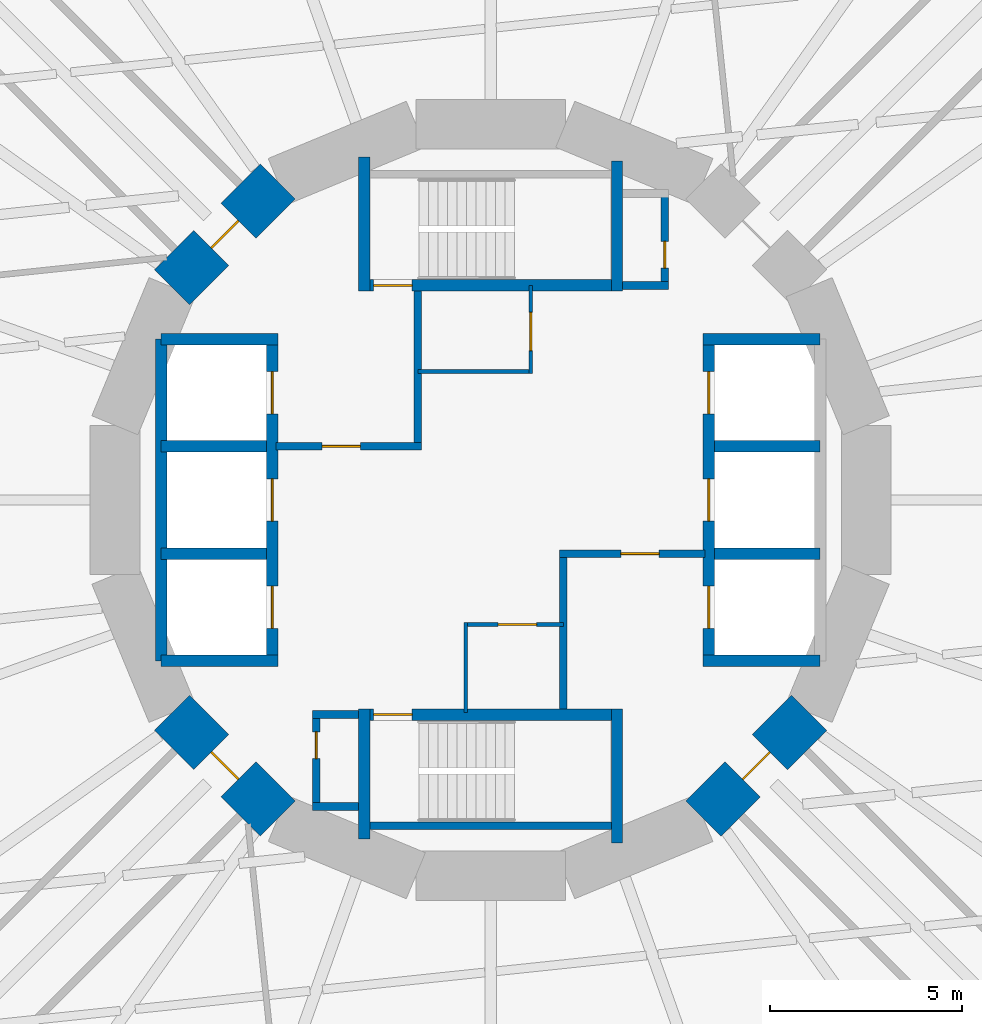
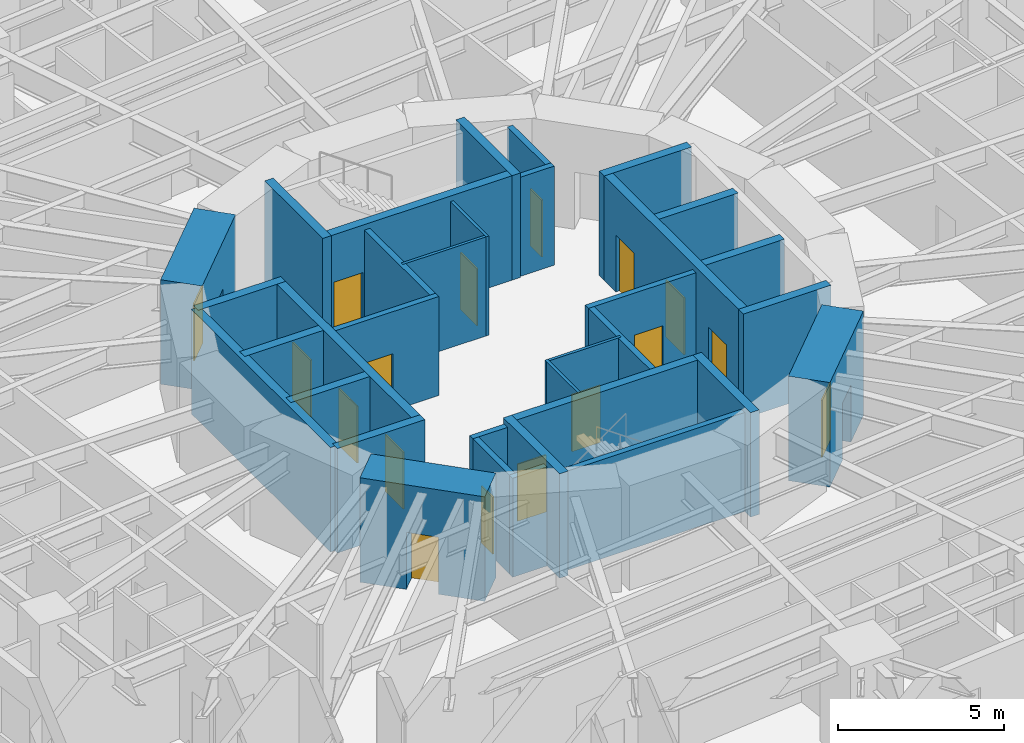
# One storey, part 7 of 13: 34 walls, 17 doors, 17 openings.
"""IFC4 building model written with IfcOpenShell, lengths in metres."""

from ifc_helpers import new_model, si_unit, direction, frame, frame_2d, origin, place, context, subcontext, project, spatial, rectangle, extrude, material, layer, layer_set, type_object, element, fill, save


model = new_model("IFC4")

# Units and contexts
model_context = context("Model", 3, precision=1e-05, world=origin(), true_north=direction((0.0, 1.0)))
body_context = subcontext(model_context, "Body", "Model", "MODEL_VIEW")
ifc_project = project(units=[si_unit("LENGTHUNIT", "METRE"), si_unit("AREAUNIT", "SQUARE_METRE"), si_unit("VOLUMEUNIT", "CUBIC_METRE"), si_unit("PLANEANGLEUNIT", "RADIAN"), si_unit("MASSUNIT", "GRAM", prefix="KILO")], contexts=[model_context])

# Site, building, storey
site_placement = place(None, origin())
site = spatial("IfcSite", under=ifc_project, at=site_placement, CompositionType="ELEMENT")
building_placement = place(site_placement, origin())
building = spatial("IfcBuilding", under=site, at=building_placement, Name="Nakasero Lantern House", CompositionType="ELEMENT")
storey_placement = place(building_placement, frame((0.0, 0.0, 60.5)))
storey = spatial("IfcBuildingStorey", under=building, at=storey_placement, Name="L14", CompositionType="ELEMENT", Elevation=60.5)

# Wall, openings, doors
ifc_material_1 = material(Name="Concrete C50/60", Category="concrete")
ifc_layer_1 = layer(ifc_material_1, 0.300048828125)
ifc_layer_set_1 = layer_set([ifc_layer_1], Name="Core inner wall 300")
wall_type_1 = type_object("IfcWallType", Name="Core inner wall 300", PredefinedType="SHEAR", material=ifc_layer_set_1)
wall_1_placement = place(storey_placement, frame((-5.699951171875, -4.199951171875, 0.0), z_axis=(0.0, 0.0, 1.0), x_axis=(0.0, 1.0, 0.0)))
wall_1 = element("IfcWall", 1, at=wall_1_placement, inside=storey, type_object=wall_type_1, Name="Core inner wall L14 LW", PredefinedType="SHEAR", context=body_context, shape_type="SweptSolid", body=[
    extrude(rectangle(XDim=8.39990234375, YDim=0.300048828125, at=frame_2d((4.199951171875, 0.0))), origin(), (0.0, 0.0, 1.0), 3.85009765625),
])
opening_1_placement = place(wall_1_placement, frame((0.85009765625, 0.0, 0.0)))
opening_1 = element("IfcOpeningElement", 2, at=opening_1_placement, cuts=wall_1, Name="Opening LD", PredefinedType="OPENING", context=body_context, shape_type="SweptSolid", body=[
    extrude(rectangle(XDim=1.10009765625, YDim=2.10009765625, at=frame_2d((0.550048828125, 1.050048828125))), frame((0.0, 0.169921875, 0.0), z_axis=(0.0, -1.0, 0.0), x_axis=(1.0, 0.0, 0.0)), (0.0, 0.0, 1.0), 0.340087890625),
])
opening_2_placement = place(wall_1_placement, frame((3.64990234375, 0.0, 0.0)))
opening_2 = element("IfcOpeningElement", 3, at=opening_2_placement, cuts=wall_1, Name="Opening LD", PredefinedType="OPENING", context=body_context, shape_type="SweptSolid", body=[
    extrude(rectangle(XDim=1.10009765625, YDim=2.10009765625, at=frame_2d((0.550048828125, 1.050048828125))), frame((0.0, 0.169921875, 0.0), z_axis=(0.0, -1.0, 0.0), x_axis=(1.0, 0.0, 0.0)), (0.0, 0.0, 1.0), 0.340087890625),
])
opening_3_placement = place(wall_1_placement, frame((6.449951171875, 0.0, 0.0)))
opening_3 = element("IfcOpeningElement", 4, at=opening_3_placement, cuts=wall_1, Name="Opening LD", PredefinedType="OPENING", context=body_context, shape_type="SweptSolid", body=[
    extrude(rectangle(XDim=1.10009765625, YDim=2.10009765625, at=frame_2d((0.550048828125, 1.050048828125))), frame((0.0, 0.169921875, 0.0), z_axis=(0.0, -1.0, 0.0), x_axis=(1.0, 0.0, 0.0)), (0.0, 0.0, 1.0), 0.340087890625),
])
ifc_material_2 = material(Name="Steel S355", Category="steel")
door_type_1 = type_object("IfcDoorType", Name="Lift landing door E120 1100", OperationType="SLIDING_TO_LEFT", PredefinedType="DOOR", material=ifc_material_2)
door_1_placement = place(opening_1_placement, origin())
door_1 = element("IfcDoor", 5, at=door_1_placement, inside=storey, type_object=door_type_1, Name="Lift landing door LW1", OperationType="SLIDING_TO_LEFT", OverallHeight=2.10009765625, OverallWidth=1.10009765625, PredefinedType="DOOR", context=body_context, shape_type="SweptSolid", body=[
    extrude(rectangle(XDim=1.10009765625, YDim=2.10009765625, at=frame_2d((0.550048828125, 1.050048828125))), frame((0.0, 0.02490234375, 0.0), z_axis=(0.0, -1.0, 0.0), x_axis=(1.0, 0.0, 0.0)), (0.0, 0.0, 1.0), 0.050048828125),
])
fill(opening_1, door_1)
door_2_placement = place(opening_2_placement, origin())
door_2 = element("IfcDoor", 6, at=door_2_placement, inside=storey, type_object=door_type_1, Name="Lift landing door LW2", OperationType="SLIDING_TO_LEFT", OverallHeight=2.10009765625, OverallWidth=1.10009765625, PredefinedType="DOOR", context=body_context, shape_type="SweptSolid", body=[
    extrude(rectangle(XDim=1.10009765625, YDim=2.10009765625, at=frame_2d((0.550048828125, 1.050048828125))), frame((0.0, 0.02490234375, 0.0), z_axis=(0.0, -1.0, 0.0), x_axis=(1.0, 0.0, 0.0)), (0.0, 0.0, 1.0), 0.050048828125),
])
fill(opening_2, door_2)
door_3_placement = place(opening_3_placement, origin())
door_3 = element("IfcDoor", 7, at=door_3_placement, inside=storey, type_object=door_type_1, Name="Lift landing door LW3", OperationType="SLIDING_TO_LEFT", OverallHeight=2.10009765625, OverallWidth=1.10009765625, PredefinedType="DOOR", context=body_context, shape_type="SweptSolid", body=[
    extrude(rectangle(XDim=1.10009765625, YDim=2.10009765625, at=frame_2d((0.550048828125, 1.050048828125))), frame((0.0, 0.02490234375, 0.0), z_axis=(0.0, -1.0, 0.0), x_axis=(1.0, 0.0, 0.0)), (0.0, 0.0, 1.0), 0.050048828125),
])
fill(opening_3, door_3)

wall_2_placement = place(storey_placement, frame((5.699951171875, -4.199951171875, 0.0), z_axis=(0.0, 0.0, 1.0), x_axis=(0.0, 1.0, 0.0)))
wall_2 = element("IfcWall", 8, at=wall_2_placement, inside=storey, type_object=wall_type_1, Name="Core inner wall L14 LE", PredefinedType="SHEAR", context=body_context, shape_type="SweptSolid", body=[
    extrude(rectangle(XDim=8.39990234375, YDim=0.300048828125, at=frame_2d((4.199951171875, 0.0))), origin(), (0.0, 0.0, 1.0), 3.85009765625),
])
opening_4_placement = place(wall_2_placement, frame((0.85009765625, 0.0, 0.0)))
opening_4 = element("IfcOpeningElement", 9, at=opening_4_placement, cuts=wall_2, Name="Opening LD", PredefinedType="OPENING", context=body_context, shape_type="SweptSolid", body=[
    extrude(rectangle(XDim=1.10009765625, YDim=2.10009765625, at=frame_2d((0.550048828125, 1.050048828125))), frame((0.0, 0.169921875, 0.0), z_axis=(0.0, -1.0, 0.0), x_axis=(1.0, 0.0, 0.0)), (0.0, 0.0, 1.0), 0.340087890625),
])
opening_5_placement = place(wall_2_placement, frame((3.64990234375, 0.0, 0.0)))
opening_5 = element("IfcOpeningElement", 10, at=opening_5_placement, cuts=wall_2, Name="Opening LD", PredefinedType="OPENING", context=body_context, shape_type="SweptSolid", body=[
    extrude(rectangle(XDim=1.10009765625, YDim=2.10009765625, at=frame_2d((0.550048828125, 1.050048828125))), frame((0.0, 0.169921875, 0.0), z_axis=(0.0, -1.0, 0.0), x_axis=(1.0, 0.0, 0.0)), (0.0, 0.0, 1.0), 0.340087890625),
])
opening_6_placement = place(wall_2_placement, frame((6.449951171875, 0.0, 0.0)))
opening_6 = element("IfcOpeningElement", 11, at=opening_6_placement, cuts=wall_2, Name="Opening LD", PredefinedType="OPENING", context=body_context, shape_type="SweptSolid", body=[
    extrude(rectangle(XDim=1.10009765625, YDim=2.10009765625, at=frame_2d((0.550048828125, 1.050048828125))), frame((0.0, 0.169921875, 0.0), z_axis=(0.0, -1.0, 0.0), x_axis=(1.0, 0.0, 0.0)), (0.0, 0.0, 1.0), 0.340087890625),
])
door_4_placement = place(opening_4_placement, origin())
door_4 = element("IfcDoor", 12, at=door_4_placement, inside=storey, type_object=door_type_1, Name="Lift landing door LE1", OperationType="SLIDING_TO_LEFT", OverallHeight=2.10009765625, OverallWidth=1.10009765625, PredefinedType="DOOR", context=body_context, shape_type="SweptSolid", body=[
    extrude(rectangle(XDim=1.10009765625, YDim=2.10009765625, at=frame_2d((0.550048828125, 1.050048828125))), frame((0.0, 0.02490234375, 0.0), z_axis=(0.0, -1.0, 0.0), x_axis=(1.0, 0.0, 0.0)), (0.0, 0.0, 1.0), 0.050048828125),
])
fill(opening_4, door_4)
door_5_placement = place(opening_5_placement, origin())
door_5 = element("IfcDoor", 13, at=door_5_placement, inside=storey, type_object=door_type_1, Name="Lift landing door LE2", OperationType="SLIDING_TO_LEFT", OverallHeight=2.10009765625, OverallWidth=1.10009765625, PredefinedType="DOOR", context=body_context, shape_type="SweptSolid", body=[
    extrude(rectangle(XDim=1.10009765625, YDim=2.10009765625, at=frame_2d((0.550048828125, 1.050048828125))), frame((0.0, 0.02490234375, 0.0), z_axis=(0.0, -1.0, 0.0), x_axis=(1.0, 0.0, 0.0)), (0.0, 0.0, 1.0), 0.050048828125),
])
fill(opening_5, door_5)
door_6_placement = place(opening_6_placement, origin())
door_6 = element("IfcDoor", 14, at=door_6_placement, inside=storey, type_object=door_type_1, Name="Lift landing door LE3", OperationType="SLIDING_TO_LEFT", OverallHeight=2.10009765625, OverallWidth=1.10009765625, PredefinedType="DOOR", context=body_context, shape_type="SweptSolid", body=[
    extrude(rectangle(XDim=1.10009765625, YDim=2.10009765625, at=frame_2d((0.550048828125, 1.050048828125))), frame((0.0, 0.02490234375, 0.0), z_axis=(0.0, -1.0, 0.0), x_axis=(1.0, 0.0, 0.0)), (0.0, 0.0, 1.0), 0.050048828125),
])
fill(opening_6, door_6)

# Walls
for number, where, z_axis, x_axis, name in (
    (15, (-8.60009765625, 4.199951171875, 0.0), (0.0, 0.0, 1.0), (1.0, 0.0, 0.0), "Core inner wall L14 LWN"),
    (16, (-8.60009765625, -4.199951171875, 0.0), (0.0, 0.0, 1.0), (1.0, 0.0, 0.0), "Core inner wall L14 LWS"),
    (17, (5.550048828125, 4.199951171875, 0.0), (0.0, 0.0, 1.0), (1.0, 0.0, 0.0), "Core inner wall L14 LEN"),
    (18, (5.550048828125, -4.199951171875, 0.0), (0.0, 0.0, 1.0), (1.0, 0.0, 0.0), "Core inner wall L14 LES"),
):
    element("IfcWall", number, at=place(storey_placement, frame(where, z_axis=z_axis, x_axis=x_axis)), inside=storey, type_object=wall_type_1, Name=name, PredefinedType="SHEAR", context=body_context, shape_type="SweptSolid", body=[
        extrude(rectangle(XDim=3.050048828125, YDim=0.300048828125, at=frame_2d((1.52490234375, 0.0))), origin(), (0.0, 0.0, 1.0), 3.85009765625),
    ])
wall_3_placement = place(storey_placement, frame((-8.60009765625, -4.199951171875, 0.0), z_axis=(0.0, 0.0, 1.0), x_axis=(0.0, 1.0, 0.0)))
element("IfcWall", 19, at=wall_3_placement, inside=storey, type_object=wall_type_1, Name="Core inner wall L14 LWB", PredefinedType="SHEAR", context=body_context, shape_type="SweptSolid", body=[
    extrude(rectangle(XDim=8.39990234375, YDim=0.300048828125, at=frame_2d((4.199951171875, 0.0))), origin(), (0.0, 0.0, 1.0), 3.85009765625),
])
for number, where, z_axis, x_axis, name in (
    (20, (-8.60009765625, -1.39990234375, 0.0), (0.0, 0.0, 1.0), (1.0, 0.0, 0.0), "Core inner wall L14 LW1"),
    (21, (-8.60009765625, 1.39990234375, 0.0), (0.0, 0.0, 1.0), (1.0, 0.0, 0.0), "Core inner wall L14 LW2"),
    (22, (5.85009765625, -1.39990234375, 0.0), (0.0, 0.0, 1.0), (1.0, 0.0, 0.0), "Core inner wall L14 LE1"),
    (23, (5.85009765625, 1.39990234375, 0.0), (0.0, 0.0, 1.0), (1.0, 0.0, 0.0), "Core inner wall L14 LE2"),
):
    element("IfcWall", number, at=place(storey_placement, frame(where, z_axis=z_axis, x_axis=x_axis)), inside=storey, type_object=wall_type_1, Name=name, PredefinedType="SHEAR", context=body_context, shape_type="SweptSolid", body=[
        extrude(rectangle(XDim=2.75, YDim=0.300048828125, at=frame_2d((1.375, 0.0))), origin(), (0.0, 0.0, 1.0), 3.85009765625),
    ])

# Wall, opening, door
wall_4_placement = place(storey_placement, frame((-3.449951171875, 5.60009765625, 0.0), z_axis=(0.0, 0.0, 1.0), x_axis=(1.0, 0.0, 0.0)))
wall_4 = element("IfcWall", 24, at=wall_4_placement, inside=storey, type_object=wall_type_1, Name="Core inner wall L14 SN", PredefinedType="SHEAR", context=body_context, shape_type="SweptSolid", body=[
    extrude(rectangle(XDim=6.89990234375, YDim=0.300048828125, at=frame_2d((3.449951171875, 0.0))), origin(), (0.0, 0.0, 1.0), 3.85009765625),
])
opening_7_placement = place(wall_4_placement, frame((0.39990234375, 0.0, 0.0)))
opening_7 = element("IfcOpeningElement", 25, at=opening_7_placement, cuts=wall_4, Name="Opening D05", PredefinedType="OPENING", context=body_context, shape_type="SweptSolid", body=[
    extrude(rectangle(XDim=1.0, YDim=2.10009765625, at=frame_2d((0.5, 1.050048828125))), frame((0.0, 0.169921875, 0.0), z_axis=(0.0, -1.0, 0.0), x_axis=(1.0, 0.0, 0.0)), (0.0, 0.0, 1.0), 0.340087890625),
])
ifc_material_3 = material(Name="Timber C24", Category="wood")
door_type_2 = type_object("IfcDoorType", Name="Core door FD60S 1000", OperationType="SINGLE_SWING_LEFT", PredefinedType="DOOR", material=ifc_material_3)
door_7_placement = place(opening_7_placement, origin())
door_7 = element("IfcDoor", 26, at=door_7_placement, inside=storey, type_object=door_type_2, Name="Door L14 D-ST1", OperationType="SINGLE_SWING_LEFT", OverallHeight=2.10009765625, OverallWidth=1.0, PredefinedType="DOOR", context=body_context, shape_type="SweptSolid", body=[
    extrude(rectangle(XDim=1.0, YDim=2.10009765625, at=frame_2d((0.5, 1.050048828125))), frame((0.0, 0.02490234375, 0.0), z_axis=(0.0, -1.0, 0.0), x_axis=(1.0, 0.0, 0.0)), (0.0, 0.0, 1.0), 0.050048828125),
])
fill(opening_7, door_7)

# Walls
wall_5_placement = place(storey_placement, frame((-3.300048828125, 5.449951171875, 0.0), z_axis=(0.0, 0.0, 1.0), x_axis=(0.0, 1.0, 0.0)))
element("IfcWall", 27, at=wall_5_placement, inside=storey, type_object=wall_type_1, Name="Core inner wall L14 SNW", PredefinedType="SHEAR", context=body_context, shape_type="SweptSolid", body=[
    extrude(rectangle(XDim=3.5, YDim=0.300048828125, at=frame_2d((1.75, 0.0))), origin(), (0.0, 0.0, 1.0), 3.85009765625),
])
wall_6_placement = place(storey_placement, frame((3.300048828125, 5.449951171875, 0.0), z_axis=(0.0, 0.0, 1.0), x_axis=(0.0, 1.0, 0.0)))
element("IfcWall", 28, at=wall_6_placement, inside=storey, type_object=wall_type_1, Name="Core inner wall L14 SNE", PredefinedType="SHEAR", context=body_context, shape_type="SweptSolid", body=[
    extrude(rectangle(XDim=3.400146484375, YDim=0.300048828125, at=frame_2d((1.7001953125, 0.0))), origin(), (0.0, 0.0, 1.0), 3.85009765625),
])

# Wall, opening, door
wall_7_placement = place(storey_placement, frame((-3.449951171875, -5.60009765625, 0.0), z_axis=(0.0, 0.0, 1.0), x_axis=(1.0, 0.0, 0.0)))
wall_7 = element("IfcWall", 29, at=wall_7_placement, inside=storey, type_object=wall_type_1, Name="Core inner wall L14 SS", PredefinedType="SHEAR", context=body_context, shape_type="SweptSolid", body=[
    extrude(rectangle(XDim=6.89990234375, YDim=0.300048828125, at=frame_2d((3.449951171875, 0.0))), origin(), (0.0, 0.0, 1.0), 3.85009765625),
])
opening_8_placement = place(wall_7_placement, frame((0.39990234375, 0.0, 0.0)))
opening_8 = element("IfcOpeningElement", 30, at=opening_8_placement, cuts=wall_7, Name="Opening D05", PredefinedType="OPENING", context=body_context, shape_type="SweptSolid", body=[
    extrude(rectangle(XDim=1.0, YDim=2.10009765625, at=frame_2d((0.5, 1.050048828125))), frame((0.0, 0.169921875, 0.0), z_axis=(0.0, -1.0, 0.0), x_axis=(1.0, 0.0, 0.0)), (0.0, 0.0, 1.0), 0.340087890625),
])
door_8_placement = place(opening_8_placement, origin())
door_8 = element("IfcDoor", 31, at=door_8_placement, inside=storey, type_object=door_type_2, Name="Door L14 D-ST2", OperationType="SINGLE_SWING_LEFT", OverallHeight=2.10009765625, OverallWidth=1.0, PredefinedType="DOOR", context=body_context, shape_type="SweptSolid", body=[
    extrude(rectangle(XDim=1.0, YDim=2.10009765625, at=frame_2d((0.5, 1.050048828125))), frame((0.0, 0.02490234375, 0.0), z_axis=(0.0, -1.0, 0.0), x_axis=(1.0, 0.0, 0.0)), (0.0, 0.0, 1.0), 0.050048828125),
])
fill(opening_8, door_8)

# Walls
wall_8_placement = place(storey_placement, frame((-3.300048828125, -5.449951171875, 0.0), z_axis=(0.0, 0.0, 1.0), x_axis=(0.0, -1.0, 0.0)))
element("IfcWall", 32, at=wall_8_placement, inside=storey, type_object=wall_type_1, Name="Core inner wall L14 SSW", PredefinedType="SHEAR", context=body_context, shape_type="SweptSolid", body=[
    extrude(rectangle(XDim=3.400146484375, YDim=0.300048828125, at=frame_2d((1.7001953125, 0.0))), origin(), (0.0, 0.0, 1.0), 3.85009765625),
])
wall_9_placement = place(storey_placement, frame((3.300048828125, -5.449951171875, 0.0), z_axis=(0.0, 0.0, 1.0), x_axis=(0.0, -1.0, 0.0)))
element("IfcWall", 33, at=wall_9_placement, inside=storey, type_object=wall_type_1, Name="Core inner wall L14 SSE", PredefinedType="SHEAR", context=body_context, shape_type="SweptSolid", body=[
    extrude(rectangle(XDim=3.5, YDim=0.300048828125, at=frame_2d((1.75, 0.0))), origin(), (0.0, 0.0, 1.0), 3.85009765625),
])
ifc_material_4 = material(Name="Blockwork", Category="masonry")
ifc_layer_2 = layer(ifc_material_4, 0.10009765625)
ifc_layer_set_2 = layer_set([ifc_layer_2], Name="Core room wall 100")
wall_type_2 = type_object("IfcWallType", Name="Core room wall 100", PredefinedType="PARTITIONING", material=ifc_layer_set_2)
wall_10_placement = place(storey_placement, frame((-1.89990234375, 3.35009765625, 0.0), z_axis=(0.0, 0.0, 1.0), x_axis=(1.0, 0.0, 0.0)))
element("IfcWall", 34, at=wall_10_placement, inside=storey, type_object=wall_type_2, Name="Core room wall L14 CR-NES", PredefinedType="PARTITIONING", context=body_context, shape_type="SweptSolid", body=[
    extrude(rectangle(XDim=3.0, YDim=0.10009765625, at=frame_2d((1.5, 0.0))), origin(), (0.0, 0.0, 1.0), 3.64990234375),
])

# Wall, opening, door
wall_11_placement = place(storey_placement, frame((1.050048828125, 3.300048828125, 0.0), z_axis=(0.0, 0.0, 1.0), x_axis=(0.0, 1.0, 0.0)))
wall_11 = element("IfcWall", 35, at=wall_11_placement, inside=storey, type_object=wall_type_2, Name="Core room wall L14 CR-NEE", PredefinedType="PARTITIONING", context=body_context, shape_type="SweptSolid", body=[
    extrude(rectangle(XDim=2.300048828125, YDim=0.10009765625, at=frame_2d((1.14990234375, 0.0))), origin(), (0.0, 0.0, 1.0), 3.64990234375),
])
opening_9_placement = place(wall_11_placement, frame((0.60009765625, 0.0, 0.0)))
opening_9 = element("IfcOpeningElement", 36, at=opening_9_placement, cuts=wall_11, Name="Opening D13", PredefinedType="OPENING", context=body_context, shape_type="SweptSolid", body=[
    extrude(rectangle(XDim=1.0, YDim=2.10009765625, at=frame_2d((0.5, 1.050048828125))), frame((0.0, 0.070068359375, 0.0), z_axis=(0.0, -1.0, 0.0), x_axis=(1.0, 0.0, 0.0)), (0.0, 0.0, 1.0), 0.14013671875),
])
ifc_material_5 = material(Name="Steel S355", Category="steel")
door_type_3 = type_object("IfcDoorType", Name="Plant room door FD60 1000", OperationType="SINGLE_SWING_LEFT", PredefinedType="DOOR", material=ifc_material_5)
door_9_placement = place(opening_9_placement, origin())
door_9 = element("IfcDoor", 37, at=door_9_placement, inside=storey, type_object=door_type_3, Name="Door L14 D-CR-NE", OperationType="SINGLE_SWING_LEFT", OverallHeight=2.10009765625, OverallWidth=1.0, PredefinedType="DOOR", context=body_context, shape_type="SweptSolid", body=[
    extrude(rectangle(XDim=1.0, YDim=2.10009765625, at=frame_2d((0.5, 1.050048828125))), frame((0.0, 0.02490234375, 0.0), z_axis=(0.0, -1.0, 0.0), x_axis=(1.0, 0.0, 0.0)), (0.0, 0.0, 1.0), 0.050048828125),
])
fill(opening_9, door_9)

wall_12_placement = place(storey_placement, frame((-0.699951171875, -3.25, 0.0), z_axis=(0.0, 0.0, 1.0), x_axis=(1.0, 0.0, 0.0)))
wall_12 = element("IfcWall", 38, at=wall_12_placement, inside=storey, type_object=wall_type_2, Name="Core room wall L14 CR-SWN", PredefinedType="PARTITIONING", context=body_context, shape_type="SweptSolid", body=[
    extrude(rectangle(XDim=2.599853515625, YDim=0.10009765625, at=frame_2d((1.2998046875, 0.0))), origin(), (0.0, 0.0, 1.0), 3.64990234375),
])
opening_10_placement = place(wall_12_placement, frame((0.89990234375, 0.0, 0.0)))
opening_10 = element("IfcOpeningElement", 39, at=opening_10_placement, cuts=wall_12, Name="Opening D07", PredefinedType="OPENING", context=body_context, shape_type="SweptSolid", body=[
    extrude(rectangle(XDim=1.0, YDim=2.10009765625, at=frame_2d((0.5, 1.050048828125))), frame((0.0, 0.070068359375, 0.0), z_axis=(0.0, -1.0, 0.0), x_axis=(1.0, 0.0, 0.0)), (0.0, 0.0, 1.0), 0.14013671875),
])
ifc_material_6 = material(Name="Timber C24", Category="wood")
door_type_4 = type_object("IfcDoorType", Name="Room door FD30S 1000", OperationType="SINGLE_SWING_LEFT", PredefinedType="DOOR", material=ifc_material_6)
door_10_placement = place(opening_10_placement, origin())
door_10 = element("IfcDoor", 40, at=door_10_placement, inside=storey, type_object=door_type_4, Name="Door L14 D-CR-SW", OperationType="SINGLE_SWING_RIGHT", OverallHeight=2.10009765625, OverallWidth=1.0, PredefinedType="DOOR", context=body_context, shape_type="SweptSolid", body=[
    extrude(rectangle(XDim=1.0, YDim=2.10009765625, at=frame_2d((0.5, 1.050048828125))), frame((0.0, 0.02490234375, 0.0), z_axis=(0.0, -1.0, 0.0), x_axis=(1.0, 0.0, 0.0)), (0.0, 0.0, 1.0), 0.050048828125),
])
fill(opening_10, door_10)

# Wall
wall_13_placement = place(storey_placement, frame((-0.64990234375, -5.550048828125, 0.0), z_axis=(0.0, 0.0, 1.0), x_axis=(0.0, 1.0, 0.0)))
element("IfcWall", 41, at=wall_13_placement, inside=storey, type_object=wall_type_2, Name="Core room wall L14 CR-SWW", PredefinedType="PARTITIONING", context=body_context, shape_type="SweptSolid", body=[
    extrude(rectangle(XDim=2.35009765625, YDim=0.10009765625, at=frame_2d((1.175048828125, 0.0))), origin(), (0.0, 0.0, 1.0), 3.64990234375),
])

# Wall, opening, door
ifc_material_7 = material(Name="Concrete C50/60", Category="concrete")
ifc_layer_3 = layer(ifc_material_7, 1.300048828125)
ifc_layer_set_3 = layer_set([ifc_layer_3], Name="Core wall 1300")
wall_type_3 = type_object("IfcWallType", Name="Core wall 1300", PredefinedType="SHEAR", material=ifc_layer_set_3)
wall_14_placement = place(storey_placement, frame((-5.5556640625, 8.314697265625, 0.0), z_axis=(0.0, 0.0, 1.0), x_axis=(-0.707106781187, -0.707106781187, 0.0)))
wall_14 = element("IfcWall", 42, at=wall_14_placement, inside=storey, type_object=wall_type_3, Name="Core wall L14 facet 6", PredefinedType="SHEAR", context=body_context, shape_type="SweptSolid", body=[
    extrude(rectangle(XDim=3.90185546875, YDim=1.300048828125, at=frame_2d((1.950927734375, 0.0))), origin(), (0.0, 0.0, 1.0), 3.85009765625),
])
opening_11_placement = place(wall_14_placement, frame((1.450927734375, 0.0, 0.0)))
opening_11 = element("IfcOpeningElement", 43, at=opening_11_placement, cuts=wall_14, Name="Opening D05", PredefinedType="OPENING", context=body_context, shape_type="SweptSolid", body=[
    extrude(rectangle(XDim=1.0, YDim=2.10009765625, at=frame_2d((0.5, 1.050048828125))), frame((0.0, 0.669921875, 0.0), z_axis=(0.0, -1.0, 0.0), x_axis=(1.0, 0.0, 0.0)), (0.0, 0.0, 1.0), 1.340087890625),
])
door_11_placement = place(opening_11_placement, origin())
door_11 = element("IfcDoor", 44, at=door_11_placement, inside=storey, type_object=door_type_2, Name="Door L14 D-CORE06", OperationType="SINGLE_SWING_LEFT", OverallHeight=2.10009765625, OverallWidth=1.0, PredefinedType="DOOR", context=body_context, shape_type="SweptSolid", body=[
    extrude(rectangle(XDim=1.0, YDim=2.10009765625, at=frame_2d((0.5, 1.050048828125))), frame((0.0, 0.02490234375, 0.0), z_axis=(0.0, -1.0, 0.0), x_axis=(1.0, 0.0, 0.0)), (0.0, 0.0, 1.0), 0.050048828125),
])
fill(opening_11, door_11)

wall_15_placement = place(storey_placement, frame((-8.314697265625, -5.5556640625, 0.0), z_axis=(0.0, 0.0, 1.0), x_axis=(0.707106781187, -0.707106781187, 0.0)))
wall_15 = element("IfcWall", 45, at=wall_15_placement, inside=storey, type_object=wall_type_3, Name="Core wall L14 facet 10", PredefinedType="SHEAR", context=body_context, shape_type="SweptSolid", body=[
    extrude(rectangle(XDim=3.90185546875, YDim=1.300048828125, at=frame_2d((1.950927734375, 0.0))), origin(), (0.0, 0.0, 1.0), 3.85009765625),
])
opening_12_placement = place(wall_15_placement, frame((1.450927734375, 0.0, 0.0)))
opening_12 = element("IfcOpeningElement", 46, at=opening_12_placement, cuts=wall_15, Name="Opening D05", PredefinedType="OPENING", context=body_context, shape_type="SweptSolid", body=[
    extrude(rectangle(XDim=1.0, YDim=2.10009765625, at=frame_2d((0.5, 1.050048828125))), frame((0.0, 0.669921875, 0.0), z_axis=(0.0, -1.0, 0.0), x_axis=(1.0, 0.0, 0.0)), (0.0, 0.0, 1.0), 1.340087890625),
])
door_12_placement = place(opening_12_placement, origin())
door_12 = element("IfcDoor", 47, at=door_12_placement, inside=storey, type_object=door_type_2, Name="Door L14 D-CORE10", OperationType="SINGLE_SWING_LEFT", OverallHeight=2.10009765625, OverallWidth=1.0, PredefinedType="DOOR", context=body_context, shape_type="SweptSolid", body=[
    extrude(rectangle(XDim=1.0, YDim=2.10009765625, at=frame_2d((0.5, 1.050048828125))), frame((0.0, 0.02490234375, 0.0), z_axis=(0.0, -1.0, 0.0), x_axis=(1.0, 0.0, 0.0)), (0.0, 0.0, 1.0), 0.050048828125),
])
fill(opening_12, door_12)

wall_16_placement = place(storey_placement, frame((5.5556640625, -8.314697265625, 0.0), z_axis=(0.0, 0.0, 1.0), x_axis=(0.707106781187, 0.707106781187, 0.0)))
wall_16 = element("IfcWall", 48, at=wall_16_placement, inside=storey, type_object=wall_type_3, Name="Core wall L14 facet 14", PredefinedType="SHEAR", context=body_context, shape_type="SweptSolid", body=[
    extrude(rectangle(XDim=3.90185546875, YDim=1.300048828125, at=frame_2d((1.950927734375, 0.0))), origin(), (0.0, 0.0, 1.0), 3.85009765625),
])
opening_13_placement = place(wall_16_placement, frame((1.450927734375, 0.0, 0.0)))
opening_13 = element("IfcOpeningElement", 49, at=opening_13_placement, cuts=wall_16, Name="Opening D05", PredefinedType="OPENING", context=body_context, shape_type="SweptSolid", body=[
    extrude(rectangle(XDim=1.0, YDim=2.10009765625, at=frame_2d((0.5, 1.050048828125))), frame((0.0, 0.669921875, 0.0), z_axis=(0.0, -1.0, 0.0), x_axis=(1.0, 0.0, 0.0)), (0.0, 0.0, 1.0), 1.340087890625),
])
door_13_placement = place(opening_13_placement, origin())
door_13 = element("IfcDoor", 50, at=door_13_placement, inside=storey, type_object=door_type_2, Name="Door L14 D-CORE14", OperationType="SINGLE_SWING_LEFT", OverallHeight=2.10009765625, OverallWidth=1.0, PredefinedType="DOOR", context=body_context, shape_type="SweptSolid", body=[
    extrude(rectangle(XDim=1.0, YDim=2.10009765625, at=frame_2d((0.5, 1.050048828125))), frame((0.0, 0.02490234375, 0.0), z_axis=(0.0, -1.0, 0.0), x_axis=(1.0, 0.0, 0.0)), (0.0, 0.0, 1.0), 0.050048828125),
])
fill(opening_13, door_13)

ifc_material_8 = material(Name="Blockwork", Category="masonry")
ifc_layer_4 = layer(ifc_material_8, 0.199951171875)
ifc_layer_set_4 = layer_set([ifc_layer_4], Name="Fire lobby wall 200")
wall_type_4 = type_object("IfcWallType", Name="Fire lobby wall 200", PredefinedType="PARTITIONING", material=ifc_layer_set_4)
wall_17_placement = place(storey_placement, frame((-5.60009765625, 1.39990234375, 0.0), z_axis=(0.0, 0.0, 1.0), x_axis=(1.0, 0.0, 0.0)))
wall_17 = element("IfcWall", 51, at=wall_17_placement, inside=storey, type_object=wall_type_4, Name="Fire lobby wall L14 W-FL1S", PredefinedType="PARTITIONING", context=body_context, shape_type="SweptSolid", body=[
    extrude(rectangle(XDim=3.800048828125, YDim=0.199951171875, at=frame_2d((1.89990234375, 0.0))), origin(), (0.0, 0.0, 1.0), 3.64990234375),
])
opening_14_placement = place(wall_17_placement, frame((1.199951171875, 0.0, 0.0)))
opening_14 = element("IfcOpeningElement", 52, at=opening_14_placement, cuts=wall_17, Name="Opening D05", PredefinedType="OPENING", context=body_context, shape_type="SweptSolid", body=[
    extrude(rectangle(XDim=1.0, YDim=2.10009765625, at=frame_2d((0.5, 1.050048828125))), frame((0.0, 0.119873046875, 0.0), z_axis=(0.0, -1.0, 0.0), x_axis=(1.0, 0.0, 0.0)), (0.0, 0.0, 1.0), 0.239990234375),
])
door_14_placement = place(opening_14_placement, origin())
door_14 = element("IfcDoor", 53, at=door_14_placement, inside=storey, type_object=door_type_2, Name="Door L14 D-FL1", OperationType="SINGLE_SWING_LEFT", OverallHeight=2.10009765625, OverallWidth=1.0, PredefinedType="DOOR", context=body_context, shape_type="SweptSolid", body=[
    extrude(rectangle(XDim=1.0, YDim=2.10009765625, at=frame_2d((0.5, 1.050048828125))), frame((0.0, 0.02490234375, 0.0), z_axis=(0.0, -1.0, 0.0), x_axis=(1.0, 0.0, 0.0)), (0.0, 0.0, 1.0), 0.050048828125),
])
fill(opening_14, door_14)

# Wall
wall_18_placement = place(storey_placement, frame((-1.89990234375, 1.5, 0.0), z_axis=(0.0, 0.0, 1.0), x_axis=(0.0, 1.0, 0.0)))
element("IfcWall", 54, at=wall_18_placement, inside=storey, type_object=wall_type_4, Name="Fire lobby wall L14 W-FL1E", PredefinedType="PARTITIONING", context=body_context, shape_type="SweptSolid", body=[
    extrude(rectangle(XDim=3.949951171875, YDim=0.199951171875, at=frame_2d((1.97509765625, 0.0))), origin(), (0.0, 0.0, 1.0), 3.64990234375),
])

# Wall, opening, door
wall_19_placement = place(storey_placement, frame((5.60009765625, -1.39990234375, 0.0), z_axis=(0.0, 0.0, 1.0), x_axis=(-1.0, 0.0, 0.0)))
wall_19 = element("IfcWall", 55, at=wall_19_placement, inside=storey, type_object=wall_type_4, Name="Fire lobby wall L14 W-FL2N", PredefinedType="PARTITIONING", context=body_context, shape_type="SweptSolid", body=[
    extrude(rectangle(XDim=3.800048828125, YDim=0.199951171875, at=frame_2d((1.89990234375, 0.0))), origin(), (0.0, 0.0, 1.0), 3.64990234375),
])
opening_15_placement = place(wall_19_placement, frame((1.199951171875, 0.0, 0.0)))
opening_15 = element("IfcOpeningElement", 56, at=opening_15_placement, cuts=wall_19, Name="Opening D05", PredefinedType="OPENING", context=body_context, shape_type="SweptSolid", body=[
    extrude(rectangle(XDim=1.0, YDim=2.10009765625, at=frame_2d((0.5, 1.050048828125))), frame((0.0, 0.119873046875, 0.0), z_axis=(0.0, -1.0, 0.0), x_axis=(1.0, 0.0, 0.0)), (0.0, 0.0, 1.0), 0.239990234375),
])
door_15_placement = place(opening_15_placement, origin())
door_15 = element("IfcDoor", 57, at=door_15_placement, inside=storey, type_object=door_type_2, Name="Door L14 D-FL2", OperationType="SINGLE_SWING_LEFT", OverallHeight=2.10009765625, OverallWidth=1.0, PredefinedType="DOOR", context=body_context, shape_type="SweptSolid", body=[
    extrude(rectangle(XDim=1.0, YDim=2.10009765625, at=frame_2d((0.5, 1.050048828125))), frame((0.0, 0.02490234375, 0.0), z_axis=(0.0, -1.0, 0.0), x_axis=(1.0, 0.0, 0.0)), (0.0, 0.0, 1.0), 0.050048828125),
])
fill(opening_15, door_15)

# Wall
wall_20_placement = place(storey_placement, frame((1.89990234375, -1.5, 0.0), z_axis=(0.0, 0.0, 1.0), x_axis=(0.0, -1.0, 0.0)))
element("IfcWall", 58, at=wall_20_placement, inside=storey, type_object=wall_type_4, Name="Fire lobby wall L14 W-FL2W", PredefinedType="PARTITIONING", context=body_context, shape_type="SweptSolid", body=[
    extrude(rectangle(XDim=3.949951171875, YDim=0.199951171875, at=frame_2d((1.97509765625, 0.0))), origin(), (0.0, 0.0, 1.0), 3.64990234375),
])

# Wall, opening, door
wall_21_placement = place(storey_placement, frame((4.550048828125, 5.60009765625, 0.0), z_axis=(0.0, 0.0, 1.0), x_axis=(0.0, 1.0, 0.0)))
wall_21 = element("IfcWall", 59, at=wall_21_placement, inside=storey, type_object=wall_type_4, Name="Fire lobby wall L14 W-RS1E", PredefinedType="PARTITIONING", context=body_context, shape_type="SweptSolid", body=[
    extrude(rectangle(XDim=2.39990234375, YDim=0.199951171875, at=frame_2d((1.199951171875, 0.0))), origin(), (0.0, 0.0, 1.0), 3.64990234375),
])
opening_16_placement = place(wall_21_placement, frame((0.449951171875, 0.0, 0.0)))
opening_16 = element("IfcOpeningElement", 60, at=opening_16_placement, cuts=wall_21, Name="Opening D06", PredefinedType="OPENING", context=body_context, shape_type="SweptSolid", body=[
    extrude(rectangle(XDim=0.699951171875, YDim=2.10009765625, at=frame_2d((0.35009765625, 1.050048828125))), frame((0.0, 0.119873046875, 0.0), z_axis=(0.0, -1.0, 0.0), x_axis=(1.0, 0.0, 0.0)), (0.0, 0.0, 1.0), 0.239990234375),
])
ifc_material_9 = material(Name="Steel S355", Category="steel")
door_type_5 = type_object("IfcDoorType", Name="Riser door FD60 700", OperationType="SINGLE_SWING_LEFT", PredefinedType="DOOR", material=ifc_material_9)
door_16_placement = place(opening_16_placement, origin())
door_16 = element("IfcDoor", 61, at=door_16_placement, inside=storey, type_object=door_type_5, Name="Door L14 D-RS1", OperationType="SINGLE_SWING_LEFT", OverallHeight=2.10009765625, OverallWidth=0.699951171875, PredefinedType="DOOR", context=body_context, shape_type="SweptSolid", body=[
    extrude(rectangle(XDim=0.699951171875, YDim=2.10009765625, at=frame_2d((0.35009765625, 1.050048828125))), frame((0.0, 0.02490234375, 0.0), z_axis=(0.0, -1.0, 0.0), x_axis=(1.0, 0.0, 0.0)), (0.0, 0.0, 1.0), 0.050048828125),
])
fill(opening_16, door_16)

# Wall
wall_22_placement = place(storey_placement, frame((3.449951171875, 5.60009765625, 0.0), z_axis=(0.0, 0.0, 1.0), x_axis=(1.0, 0.0, 0.0)))
element("IfcWall", 62, at=wall_22_placement, inside=storey, type_object=wall_type_4, Name="Fire lobby wall L14 W-RS1S", PredefinedType="PARTITIONING", context=body_context, shape_type="SweptSolid", body=[
    extrude(rectangle(XDim=1.199951171875, YDim=0.199951171875, at=frame_2d((0.60009765625, 0.0))), origin(), (0.0, 0.0, 1.0), 3.64990234375),
])

# Wall, opening, door
wall_23_placement = place(storey_placement, frame((-4.550048828125, -5.60009765625, 0.0), z_axis=(0.0, 0.0, 1.0), x_axis=(0.0, -1.0, 0.0)))
wall_23 = element("IfcWall", 63, at=wall_23_placement, inside=storey, type_object=wall_type_4, Name="Fire lobby wall L14 W-RS2W", PredefinedType="PARTITIONING", context=body_context, shape_type="SweptSolid", body=[
    extrude(rectangle(XDim=2.39990234375, YDim=0.199951171875, at=frame_2d((1.199951171875, 0.0))), origin(), (0.0, 0.0, 1.0), 3.64990234375),
])
opening_17_placement = place(wall_23_placement, frame((0.449951171875, 0.0, 0.0)))
opening_17 = element("IfcOpeningElement", 64, at=opening_17_placement, cuts=wall_23, Name="Opening D06", PredefinedType="OPENING", context=body_context, shape_type="SweptSolid", body=[
    extrude(rectangle(XDim=0.699951171875, YDim=2.10009765625, at=frame_2d((0.35009765625, 1.050048828125))), frame((0.0, 0.119873046875, 0.0), z_axis=(0.0, -1.0, 0.0), x_axis=(1.0, 0.0, 0.0)), (0.0, 0.0, 1.0), 0.239990234375),
])
door_17_placement = place(opening_17_placement, origin())
door_17 = element("IfcDoor", 65, at=door_17_placement, inside=storey, type_object=door_type_5, Name="Door L14 D-RS2", OperationType="SINGLE_SWING_LEFT", OverallHeight=2.10009765625, OverallWidth=0.699951171875, PredefinedType="DOOR", context=body_context, shape_type="SweptSolid", body=[
    extrude(rectangle(XDim=0.699951171875, YDim=2.10009765625, at=frame_2d((0.35009765625, 1.050048828125))), frame((0.0, 0.02490234375, 0.0), z_axis=(0.0, -1.0, 0.0), x_axis=(1.0, 0.0, 0.0)), (0.0, 0.0, 1.0), 0.050048828125),
])
fill(opening_17, door_17)

# Walls
for number, where, z_axis, x_axis, name in (
    (66, (-3.449951171875, -8.0, 0.0), (0.0, 0.0, 1.0), (-1.0, 0.0, 0.0), "Fire lobby wall L14 W-RS2S"),
    (67, (-3.449951171875, -5.60009765625, 0.0), (0.0, 0.0, 1.0), (-1.0, 0.0, 0.0), "Fire lobby wall L14 W-RS2N"),
):
    element("IfcWall", number, at=place(storey_placement, frame(where, z_axis=z_axis, x_axis=x_axis)), inside=storey, type_object=wall_type_4, Name=name, PredefinedType="PARTITIONING", context=body_context, shape_type="SweptSolid", body=[
        extrude(rectangle(XDim=1.199951171875, YDim=0.199951171875, at=frame_2d((0.60009765625, 0.0))), origin(), (0.0, 0.0, 1.0), 3.64990234375),
    ])
wall_24_placement = place(storey_placement, frame((-3.300048828125, -8.5, 0.0), z_axis=(0.0, 0.0, 1.0), x_axis=(1.0, 0.0, 0.0)))
element("IfcWall", 68, at=wall_24_placement, inside=storey, type_object=wall_type_4, Name="Fire lobby wall L14 W-STS", PredefinedType="PARTITIONING", context=body_context, shape_type="SweptSolid", body=[
    extrude(rectangle(XDim=6.60009765625, YDim=0.199951171875, at=frame_2d((3.300048828125, 0.0))), origin(), (0.0, 0.0, 1.0), 3.64990234375),
])

save(model, "model.ifc")
